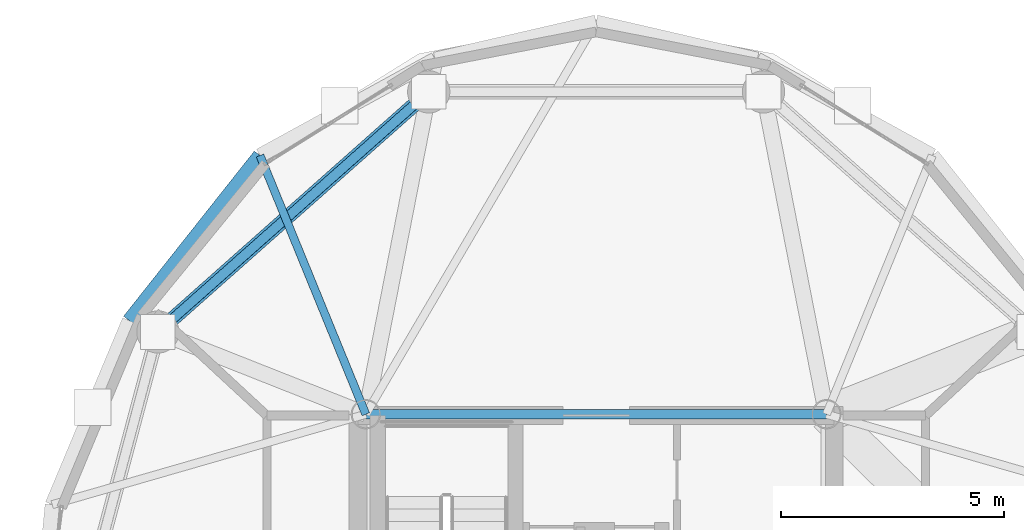
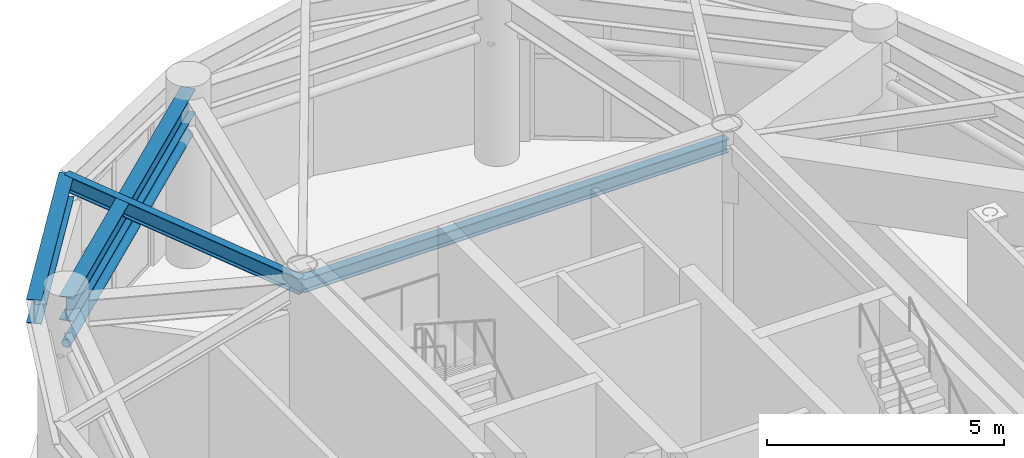
# One storey, part 8 of 28: 4 beams, 1 member.
"""IFC4 building model written with IfcOpenShell, lengths in metres."""

from ifc_helpers import new_model, si_unit, direction, frame, origin, origin_2d, place, context, subcontext, project, spatial, hollow_circle, i_section, extrude, material, material_profile, profile_set, type_object, element, save


model = new_model("IFC4")

# Units and contexts
model_context = context("Model", 3, precision=1e-05, world=origin(), true_north=direction((0.0, 1.0)))
body_context = subcontext(model_context, "Body", "Model", "MODEL_VIEW")
ifc_project = project(units=[si_unit("LENGTHUNIT", "METRE"), si_unit("AREAUNIT", "SQUARE_METRE"), si_unit("VOLUMEUNIT", "CUBIC_METRE"), si_unit("PLANEANGLEUNIT", "RADIAN"), si_unit("MASSUNIT", "GRAM", prefix="KILO")], contexts=[model_context])

# Site, building, storey
site_placement = place(None, origin())
site = spatial("IfcSite", under=ifc_project, at=site_placement, CompositionType="ELEMENT")
building_placement = place(site_placement, origin())
building = spatial("IfcBuilding", under=site, at=building_placement, Name="Cununo Teusaquillo Station Towers", CompositionType="ELEMENT")
storey_placement = place(building_placement, frame((0.0, 0.0, 235.64990234375)))
storey = spatial("IfcBuildingStorey", under=building, at=storey_placement, Name="L75", CompositionType="ELEMENT", Elevation=235.64990234375)

# Beams
ifc_material_1 = material(Name="Steel ASTM A572 Grade 50", Category="steel")
ifc_material_profile_1 = material_profile(ifc_material_1, i_section(OverallWidth=0.180908203125, OverallDepth=0.4169921875, WebThickness=0.010986328125, FlangeThickness=0.018310546875, FilletRadius=0.012939453125, at=origin_2d()), Name="W16X57")
ifc_profile_set_1 = profile_set([ifc_material_profile_1], Name="Steel ASTM A572 Grade 50")
beam_type_1 = type_object("IfcBeamType", Name="BM-JOIST-1", PredefinedType="JOIST", material=ifc_profile_set_1)
beam_1_placement = place(storey_placement, frame((11.324951171875, 31.3798828125, 4.131591796875), z_axis=(-0.378576847217, 0.925569862707, 0.0), x_axis=(-0.925569862707, -0.378576847217, 0.0)))
element("IfcBeam", 1, at=beam_1_placement, inside=storey, type_object=beam_type_1, Name="L75 Tower A Radial Spandrel Joist V07", PredefinedType="JOIST", context=body_context, shape_type="SweptSolid", body=[
    extrude(i_section(OverallWidth=0.180908203125, OverallDepth=0.4169921875, WebThickness=0.010986328125, FlangeThickness=0.018310546875, FilletRadius=0.012939453125, at=origin_2d()), origin(), (0.0, 0.0, 1.0), 6.28125),
])
ifc_material_2 = material(Name="Steel ASTM A572 Grade 50", Category="steel")
ifc_material_profile_2 = material_profile(ifc_material_2, i_section(OverallWidth=0.2041015625, OverallDepth=0.35009765625, WebThickness=0.008544921875, FlangeThickness=0.01513671875, FilletRadius=0.011962890625, at=origin_2d()), Name="W14X48")
ifc_profile_set_2 = profile_set([ifc_material_profile_2], Name="Steel ASTM A572 Grade 50")
beam_type_2 = type_object("IfcBeamType", Name="BM-LINTEL-1", PredefinedType="LINTEL", material=ifc_profile_set_2)
beam_2_placement = place(storey_placement, frame((11.324951171875, 31.3798828125, 4.1650390625), z_axis=(1.0, 0.0, 0.0), x_axis=(0.0, 1.0, 0.0)))
element("IfcBeam", 2, at=beam_2_placement, inside=storey, type_object=beam_type_2, Name="L75 Tower A Core Beam 4", PredefinedType="LINTEL", context=body_context, shape_type="SweptSolid", body=[
    extrude(i_section(OverallWidth=0.2041015625, OverallDepth=0.35009765625, WebThickness=0.008544921875, FlangeThickness=0.01513671875, FilletRadius=0.011962890625, at=origin_2d()), origin(), (0.0, 0.0, 1.0), 10.35009765625),
])
ifc_material_3 = material(Name="Steel ASTM A572 Grade 50", Category="steel")
ifc_material_profile_3 = material_profile(ifc_material_3, i_section(OverallWidth=0.324951171875, OverallDepth=0.615966796875, WebThickness=0.013916015625, FlangeThickness=0.021484375, FilletRadius=0.01611328125, at=origin_2d()), Name="W24X117")
ifc_profile_set_3 = profile_set([ifc_material_profile_3], Name="Steel ASTM A572 Grade 50")
beam_type_3 = type_object("IfcBeamType", Name="BM-PLNT-G2", PredefinedType="BEAM", material=ifc_profile_set_3)
beam_3_placement = place(storey_placement, frame((12.738525390625, 38.623291015625, 4.031982421875), z_axis=(-0.74832120039, -0.66333655187, 0.0), x_axis=(0.66333655187, -0.74832120039, 0.0)))
element("IfcBeam", 3, at=beam_3_placement, inside=storey, type_object=beam_type_3, Name="L75 Tower A Structural Column Ring Girder 04", PredefinedType="BEAM", context=body_context, shape_type="SweptSolid", body=[
    extrude(i_section(OverallWidth=0.324951171875, OverallDepth=0.615966796875, WebThickness=0.013916015625, FlangeThickness=0.021484375, FilletRadius=0.01611328125, at=origin_2d()), origin(), (0.0, 0.0, 1.0), 8.1328125),
])
beam_4_placement = place(storey_placement, frame((8.947021484375, 37.193603515625, 4.031982421875), z_axis=(-0.620710872531, -0.784039547932, 0.0), x_axis=(0.784039547932, -0.620710872531, 0.0)))
element("IfcBeam", 4, at=beam_4_placement, inside=storey, type_object=beam_type_3, Name="L75 Tower A Spandrel Ring Beam 08", PredefinedType="BEAM", context=body_context, shape_type="SweptSolid", body=[
    extrude(i_section(OverallWidth=0.324951171875, OverallDepth=0.615966796875, WebThickness=0.013916015625, FlangeThickness=0.021484375, FilletRadius=0.01611328125, at=origin_2d()), origin(), (0.0, 0.0, 1.0), 4.732421875),
])

# Member
ifc_material_4 = material(Name="Steel EN 10025-2 S355J2", Category="steel")
ifc_material_profile_4 = material_profile(ifc_material_4, hollow_circle(Radius=0.109619140625, WallThickness=0.010009765625, at=origin_2d()), Name="CHS 219x10")
ifc_profile_set_4 = profile_set([ifc_material_profile_4], Name="Steel EN 10025-2 S355J2")
member_type = type_object("IfcMemberType", Name="MBR-DRUM-COL", PredefinedType="COLLAR", material=ifc_profile_set_4)
member_placement = place(storey_placement, frame((12.738525390625, 38.623291015625, 3.150146484375), z_axis=(-0.74832120039, -0.66333655187, 0.0), x_axis=(0.66333655187, -0.74832120039, 0.0)))
element("IfcMember", 5, at=member_placement, inside=storey, type_object=member_type, Name="L75 Tower A Crown Drum Collar 04", PredefinedType="COLLAR", context=body_context, shape_type="SweptSolid", body=[
    extrude(hollow_circle(Radius=0.109619140625, WallThickness=0.010009765625, at=origin_2d()), origin(), (0.0, 0.0, 1.0), 8.1328125),
])

save(model, "model.ifc")
